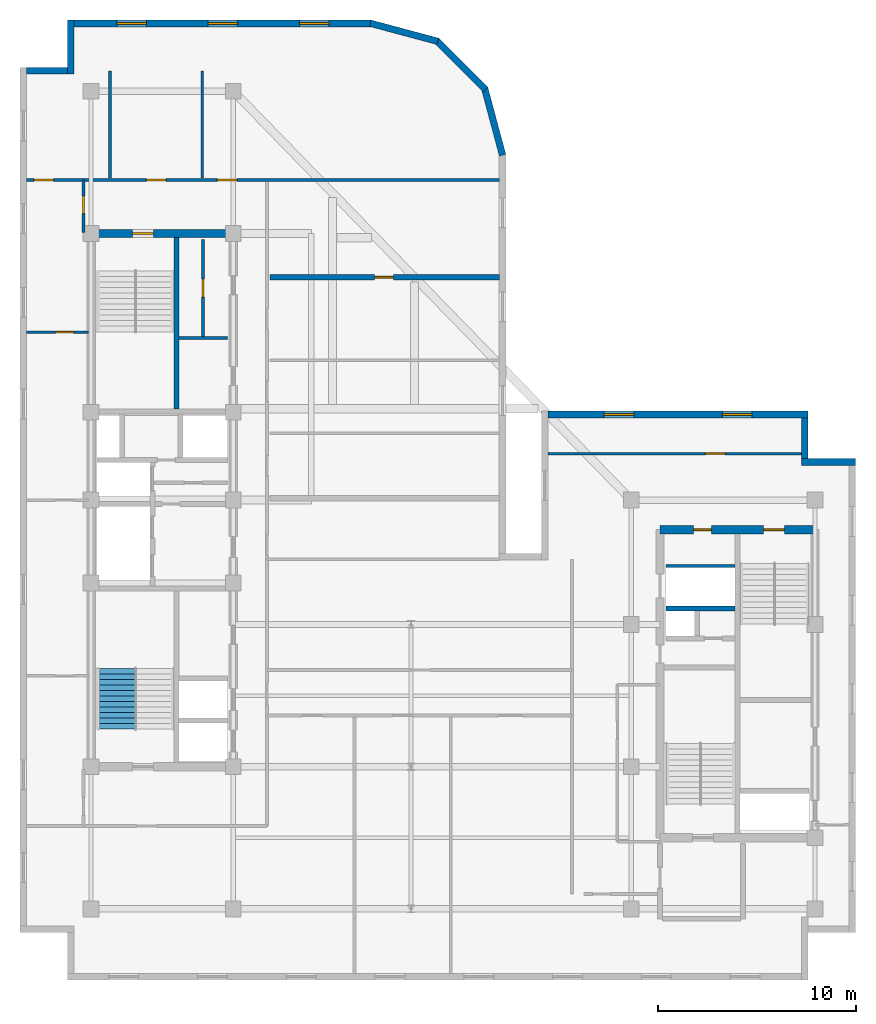
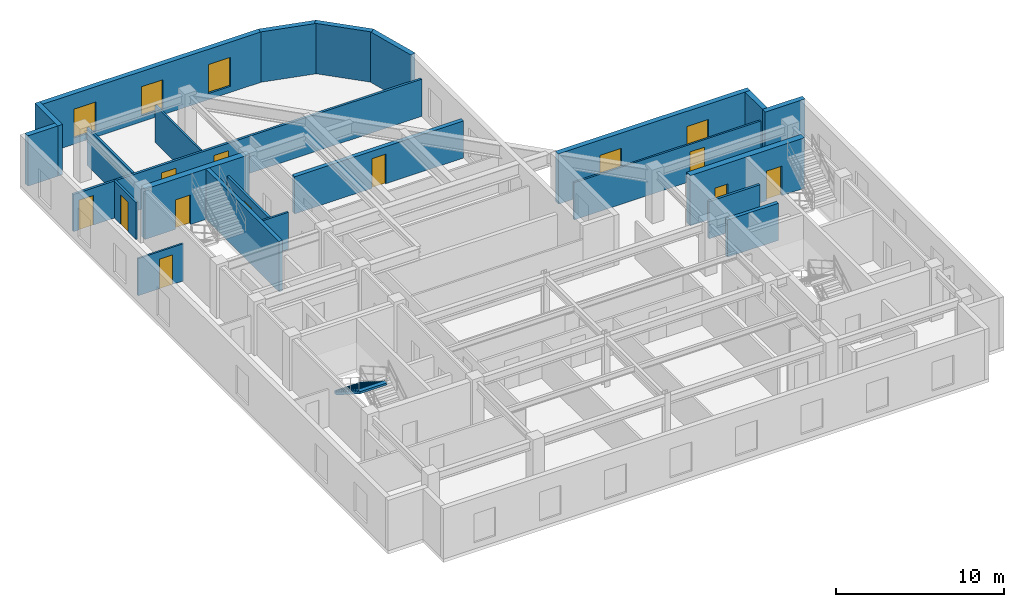
# One storey, part 6 of 10: 23 walls, 11 doors, 5 windows, 1 stair flight, 16 openings, 1 element without a shape of its own.
"""IFC4 building model written with IfcOpenShell, lengths in metres."""

from ifc_helpers import new_model, entity, si_unit, converted_unit, direction, frame, origin_with_axes, origin_2d_with_axis, place, context, subcontext, project, spatial, polyline, rectangle, outline, extrude, material, layer, layer_set, type_object, element, fill, aggregate, save


model = new_model("IFC4")

# Units and contexts
model_context = context("Model", 3, precision=1e-05, world=origin_with_axes(), true_north=direction((0.0, 1.0)))
body_context = subcontext(model_context, "Body", "Model", "MODEL_VIEW")
ifc_project = project(units=[si_unit("LENGTHUNIT", "METRE"), si_unit("AREAUNIT", "SQUARE_METRE"), si_unit("VOLUMEUNIT", "CUBIC_METRE"), converted_unit("PLANEANGLEUNIT", "DEGREE", entity("IfcPlaneAngleMeasure", 0.017453292519943295), si_unit("PLANEANGLEUNIT", "RADIAN"), dimensions=[0, 0, 0, 0, 0, 0, 0]), si_unit("MASSUNIT", "GRAM", prefix="KILO"), si_unit("THERMODYNAMICTEMPERATUREUNIT", "KELVIN")], contexts=[model_context])

# Site, building, storey
site_placement = place(None, origin_with_axes())
site = spatial("IfcSite", under=ifc_project, at=site_placement, CompositionType="ELEMENT")
building_placement = place(site_placement, origin_with_axes())
building = spatial("IfcBuilding", under=site, at=building_placement, Name="Varnlund Millrace Tower", CompositionType="ELEMENT")
storey_placement = place(building_placement, frame((0.0, 0.0, 280.2), z_axis=(0.0, 0.0, 1.0), x_axis=(1.0, 0.0, 0.0)))
storey = spatial("IfcBuildingStorey", under=building, at=storey_placement, Name="L69", CompositionType="ELEMENT", Elevation=280.2)

# Wall, opening, door
ifc_material_1 = material(Name="Concrete C60/75", Category="concrete")
ifc_layer_1 = layer(ifc_material_1, 0.42, Name="Concrete C60/75")
ifc_layer_set_1 = layer_set([ifc_layer_1], Name="Concrete C60/75")
wall_type_1 = type_object("IfcWallType", Name="Type-CoreWall-Shear-420-C60", PredefinedType="SHEAR", material=ifc_layer_set_1)
wall_1_placement = place(storey_placement, frame((11.4, 37.8, 0.0), z_axis=(0.0, 0.0, 1.0), x_axis=(1.0, 0.0, 0.0)))
wall_1 = element("IfcWall", 1, at=wall_1_placement, inside=storey, type_object=wall_type_1, Name="Type-CoreWall-Shear-420-C60", PredefinedType="SHEAR", context=body_context, shape_type="SweptSolid", body=[
    extrude(outline(polyline([(0.0, -0.21), (7.2, -0.21), (7.2, 0.21), (0.0, 0.21), (0.0, -0.21)])), origin_with_axes(), (0.0, 0.0, 1.0), 3.66),
])
opening_1_placement = place(wall_1_placement, frame((2.625, 0.0, 0.0), z_axis=(0.0, 0.0, 1.0), x_axis=(1.0, 0.0, 0.0)))
opening_1 = element("IfcOpeningElement", 2, at=opening_1_placement, cuts=wall_1, Name="Opening L69:DR-STA2", PredefinedType="OPENING", context=body_context, shape_type="SweptSolid", body=[
    extrude(rectangle(XDim=1.05, YDim=0.44, at=origin_2d_with_axis()), origin_with_axes(), (0.0, 0.0, 1.0), 2.15),
])
ifc_material_2 = material(Name="Fire-rated hollow steel door", Category="steel")
door_type_1 = type_object("IfcDoorType", Name="Type-FireDoor-Stair-1050X2150", OperationType="NOTDEFINED", PredefinedType="DOOR", material=ifc_material_2)
door_1_placement = place(wall_1_placement, frame((2.625, 0.0, 0.0), z_axis=(0.0, 0.0, 1.0), x_axis=(1.0, 0.0, 0.0)))
door_1 = element("IfcDoor", 3, at=door_1_placement, inside=storey, type_object=door_type_1, Name="Type-FireDoor-Stair-1050X2150", OperationType="SINGLE_SWING_RIGHT", OverallHeight=2.15, OverallWidth=1.05, PredefinedType="DOOR", context=body_context, shape_type="SweptSolid", body=[
    extrude(rectangle(XDim=1.05, YDim=0.09, at=origin_2d_with_axis()), origin_with_axes(), (0.0, 0.0, 1.0), 2.15),
])
fill(opening_1, door_1)

# Wall, openings, doors
wall_2_placement = place(storey_placement, frame((40.2, 22.8, 0.0), z_axis=(0.0, 0.0, 1.0), x_axis=(1.0, 0.0, 0.0)))
wall_2 = element("IfcWall", 4, at=wall_2_placement, inside=storey, type_object=wall_type_1, Name="Type-CoreWall-Shear-420-C60", PredefinedType="SHEAR", context=body_context, shape_type="SweptSolid", body=[
    extrude(outline(polyline([(0.0, -0.21), (7.85, -0.21), (7.85, 0.21), (0.0, 0.21), (0.0, -0.21)])), origin_with_axes(), (0.0, 0.0, 1.0), 3.66),
])
opening_2_placement = place(wall_2_placement, frame((5.775, 0.0, 0.0), z_axis=(0.0, 0.0, 1.0), x_axis=(1.0, 0.0, 0.0)))
opening_2 = element("IfcOpeningElement", 5, at=opening_2_placement, cuts=wall_2, Name="Opening L69:DR-STB2", PredefinedType="OPENING", context=body_context, shape_type="SweptSolid", body=[
    extrude(rectangle(XDim=1.05, YDim=0.44, at=origin_2d_with_axis()), origin_with_axes(), (0.0, 0.0, 1.0), 2.15),
])
opening_3_placement = place(wall_2_placement, frame((2.15, 0.0, 0.0), z_axis=(0.0, 0.0, 1.0), x_axis=(1.0, 0.0, 0.0)))
opening_3 = element("IfcOpeningElement", 6, at=opening_3_placement, cuts=wall_2, Name="Opening L69:DR-CB-NW", PredefinedType="OPENING", context=body_context, shape_type="SweptSolid", body=[
    extrude(rectangle(XDim=0.9, YDim=0.44, at=origin_2d_with_axis()), origin_with_axes(), (0.0, 0.0, 1.0), 2.15),
])
ifc_material_3 = material(Name="Fire-rated hollow steel service closet door", Category="steel")
door_type_2 = type_object("IfcDoorType", Name="Type-FireDoor-Closet-900X2150", OperationType="NOTDEFINED", PredefinedType="DOOR", material=ifc_material_3)
door_2_placement = place(wall_2_placement, frame((2.15, 0.0, 0.0), z_axis=(0.0, 0.0, 1.0), x_axis=(1.0, 0.0, 0.0)))
door_2 = element("IfcDoor", 7, at=door_2_placement, inside=storey, type_object=door_type_2, Name="Type-FireDoor-Closet-900X2150", OperationType="SINGLE_SWING_LEFT", OverallHeight=2.15, OverallWidth=0.9, PredefinedType="DOOR", context=body_context, shape_type="SweptSolid", body=[
    extrude(rectangle(XDim=0.9, YDim=0.09, at=origin_2d_with_axis()), origin_with_axes(), (0.0, 0.0, 1.0), 2.15),
])
fill(opening_3, door_2)
door_3_placement = place(wall_2_placement, frame((5.775, 0.0, 0.0), z_axis=(0.0, 0.0, 1.0), x_axis=(1.0, 0.0, 0.0)))
door_3 = element("IfcDoor", 8, at=door_3_placement, inside=storey, type_object=door_type_1, Name="Type-FireDoor-Stair-1050X2150", OperationType="SINGLE_SWING_RIGHT", OverallHeight=2.15, OverallWidth=1.05, PredefinedType="DOOR", context=body_context, shape_type="SweptSolid", body=[
    extrude(rectangle(XDim=1.05, YDim=0.09, at=origin_2d_with_axis()), origin_with_axes(), (0.0, 0.0, 1.0), 2.15),
])
fill(opening_2, door_3)

# Wall, openings, windows
ifc_material_4 = material(Name="Precast concrete C50/60", Category="concrete")
ifc_layer_2 = layer(ifc_material_4, 0.34, Name="Precast concrete C50/60")
ifc_layer_set_2 = layer_set([ifc_layer_2], Name="Precast concrete C50/60")
wall_type_2 = type_object("IfcWallType", Name="Type-ExtWall-Precast-Upper-340", PredefinedType="SOLIDWALL", material=ifc_layer_set_2)
wall_3_placement = place(storey_placement, frame((34.54, 28.63, 0.0), z_axis=(0.0, 0.0, 1.0), x_axis=(1.0, 0.0, 0.0)))
wall_3 = element("IfcWall", 9, at=wall_3_placement, inside=storey, type_object=wall_type_2, Name="Type-ExtWall-Precast-Upper-340", PredefinedType="SOLIDWALL", context=body_context, shape_type="SweptSolid", body=[
    extrude(outline(polyline([(0.0, -0.17), (13.16, -0.17), (13.16, 0.17), (0.0, 0.17), (0.0, -0.17)])), origin_with_axes(), (0.0, 0.0, 1.0), 3.66),
])
opening_4_placement = place(wall_3_placement, frame((3.59, 0.0, 0.45), z_axis=(0.0, 0.0, 1.0), x_axis=(1.0, 0.0, 0.0)))
opening_4 = element("IfcOpeningElement", 10, at=opening_4_placement, cuts=wall_3, Name="Opening L69:WN-02", PredefinedType="OPENING", context=body_context, shape_type="SweptSolid", body=[
    extrude(rectangle(XDim=1.5, YDim=0.36, at=origin_2d_with_axis()), origin_with_axes(), (0.0, 0.0, 1.0), 2.1),
])
opening_5_placement = place(wall_3_placement, frame((9.57, 0.0, 0.45), z_axis=(0.0, 0.0, 1.0), x_axis=(1.0, 0.0, 0.0)))
opening_5 = element("IfcOpeningElement", 11, at=opening_5_placement, cuts=wall_3, Name="Opening L69:WN-03", PredefinedType="OPENING", context=body_context, shape_type="SweptSolid", body=[
    extrude(rectangle(XDim=1.5, YDim=0.36, at=origin_2d_with_axis()), origin_with_axes(), (0.0, 0.0, 1.0), 2.1),
])
ifc_material_5 = material(Name="Argon low-e triple glazing in thermally broken bronze frame", Category="glass")
window_type = type_object("IfcWindowType", Name="Type-Window-Punched-1500X2100", PartitioningType="SINGLE_PANEL", PredefinedType="WINDOW", material=ifc_material_5)
window_1_placement = place(wall_3_placement, frame((3.59, 0.0, 0.45), z_axis=(0.0, 0.0, 1.0), x_axis=(1.0, 0.0, 0.0)))
window_1 = element("IfcWindow", 12, at=window_1_placement, inside=storey, type_object=window_type, Name="Type-Window-Punched-1500X2100", OverallHeight=2.1, OverallWidth=1.5, PredefinedType="WINDOW", context=body_context, shape_type="SweptSolid", body=[
    extrude(rectangle(XDim=1.5, YDim=0.09, at=origin_2d_with_axis()), origin_with_axes(), (0.0, 0.0, 1.0), 2.1),
])
fill(opening_4, window_1)
window_2_placement = place(wall_3_placement, frame((9.57, 0.0, 0.45), z_axis=(0.0, 0.0, 1.0), x_axis=(1.0, 0.0, 0.0)))
window_2 = element("IfcWindow", 13, at=window_2_placement, inside=storey, type_object=window_type, Name="Type-Window-Punched-1500X2100", OverallHeight=2.1, OverallWidth=1.5, PredefinedType="WINDOW", context=body_context, shape_type="SweptSolid", body=[
    extrude(rectangle(XDim=1.5, YDim=0.09, at=origin_2d_with_axis()), origin_with_axes(), (0.0, 0.0, 1.0), 2.1),
])
fill(opening_5, window_2)

# Walls
wall_4_placement = place(storey_placement, frame((47.53, 28.46, 0.0), z_axis=(0.0, 0.0, 1.0), x_axis=(0.0, -1.0, 0.0)))
element("IfcWall", 14, at=wall_4_placement, inside=storey, type_object=wall_type_2, Name="Type-ExtWall-Precast-Upper-340", PredefinedType="SOLIDWALL", context=body_context, shape_type="SweptSolid", body=[
    extrude(outline(polyline([(0.0, -0.17), (2.06, -0.17), (2.06, 0.17), (0.0, 0.17), (0.0, -0.17)])), origin_with_axes(), (0.0, 0.0, 1.0), 3.66),
])
wall_5_placement = place(storey_placement, frame((47.36, 26.23, 0.0), z_axis=(0.0, 0.0, 1.0), x_axis=(1.0, 0.0, 0.0)))
element("IfcWall", 15, at=wall_5_placement, inside=storey, type_object=wall_type_2, Name="Type-ExtWall-Precast-Upper-340", PredefinedType="SOLIDWALL", context=body_context, shape_type="SweptSolid", body=[
    extrude(outline(polyline([(0.0, -0.17), (2.74, -0.17), (2.74, 0.17), (0.0, 0.17), (0.0, -0.17)])), origin_with_axes(), (0.0, 0.0, 1.0), 3.66),
])
wall_6_placement = place(storey_placement, frame((8.14, 46.03, 0.0), z_axis=(0.0, 0.0, 1.0), x_axis=(1.0, 0.0, 0.0)))
element("IfcWall", 16, at=wall_6_placement, inside=storey, type_object=wall_type_2, Name="Type-ExtWall-Precast-Upper-340", PredefinedType="SOLIDWALL", context=body_context, shape_type="SweptSolid", body=[
    extrude(outline(polyline([(0.0, -0.17), (2.06, -0.17), (2.06, 0.17), (0.0, 0.17), (0.0, -0.17)])), origin_with_axes(), (0.0, 0.0, 1.0), 3.66),
])
wall_7_placement = place(storey_placement, frame((10.37, 45.86, 0.0), z_axis=(0.0, 0.0, 1.0), x_axis=(0.0, 1.0, 0.0)))
element("IfcWall", 17, at=wall_7_placement, inside=storey, type_object=wall_type_2, Name="Type-ExtWall-Precast-Upper-340", PredefinedType="SOLIDWALL", context=body_context, shape_type="SweptSolid", body=[
    extrude(outline(polyline([(0.0, -0.17), (2.74, -0.17), (2.74, 0.17), (0.0, 0.17), (0.0, -0.17)])), origin_with_axes(), (0.0, 0.0, 1.0), 3.66),
])

# Wall, openings, windows
wall_8_placement = place(storey_placement, frame((10.54, 48.43, 0.0), z_axis=(0.0, 0.0, 1.0), x_axis=(1.0, 0.0, 0.0)))
wall_8 = element("IfcWall", 18, at=wall_8_placement, inside=storey, type_object=wall_type_2, Name="Type-ExtWall-Precast-Upper-340", PredefinedType="SOLIDWALL", context=body_context, shape_type="SweptSolid", body=[
    extrude(outline(polyline([(0.0, -0.17), (15.06, -0.17), (15.06, 0.17), (0.0, 0.17), (0.0, -0.17)])), origin_with_axes(), (0.0, 0.0, 1.0), 3.66),
])
opening_6_placement = place(wall_8_placement, frame((2.91, 0.0, 0.45), z_axis=(0.0, 0.0, 1.0), x_axis=(1.0, 0.0, 0.0)))
opening_6 = element("IfcOpeningElement", 19, at=opening_6_placement, cuts=wall_8, Name="Opening L69:WN-24", PredefinedType="OPENING", context=body_context, shape_type="SweptSolid", body=[
    extrude(rectangle(XDim=1.5, YDim=0.36, at=origin_2d_with_axis()), origin_with_axes(), (0.0, 0.0, 1.0), 2.1),
])
opening_7_placement = place(wall_8_placement, frame((7.53, 0.0, 0.45), z_axis=(0.0, 0.0, 1.0), x_axis=(1.0, 0.0, 0.0)))
opening_7 = element("IfcOpeningElement", 20, at=opening_7_placement, cuts=wall_8, Name="Opening L69:WN-25", PredefinedType="OPENING", context=body_context, shape_type="SweptSolid", body=[
    extrude(rectangle(XDim=1.5, YDim=0.36, at=origin_2d_with_axis()), origin_with_axes(), (0.0, 0.0, 1.0), 2.1),
])
opening_8_placement = place(wall_8_placement, frame((12.15, 0.0, 0.45), z_axis=(0.0, 0.0, 1.0), x_axis=(1.0, 0.0, 0.0)))
opening_8 = element("IfcOpeningElement", 21, at=opening_8_placement, cuts=wall_8, Name="Opening L69:WN-26", PredefinedType="OPENING", context=body_context, shape_type="SweptSolid", body=[
    extrude(rectangle(XDim=1.5, YDim=0.36, at=origin_2d_with_axis()), origin_with_axes(), (0.0, 0.0, 1.0), 2.1),
])
window_3_placement = place(wall_8_placement, frame((2.91, 0.0, 0.45), z_axis=(0.0, 0.0, 1.0), x_axis=(1.0, 0.0, 0.0)))
window_3 = element("IfcWindow", 22, at=window_3_placement, inside=storey, type_object=window_type, Name="Type-Window-Punched-1500X2100", OverallHeight=2.1, OverallWidth=1.5, PredefinedType="WINDOW", context=body_context, shape_type="SweptSolid", body=[
    extrude(rectangle(XDim=1.5, YDim=0.09, at=origin_2d_with_axis()), origin_with_axes(), (0.0, 0.0, 1.0), 2.1),
])
fill(opening_6, window_3)
window_4_placement = place(wall_8_placement, frame((7.53, 0.0, 0.45), z_axis=(0.0, 0.0, 1.0), x_axis=(1.0, 0.0, 0.0)))
window_4 = element("IfcWindow", 23, at=window_4_placement, inside=storey, type_object=window_type, Name="Type-Window-Punched-1500X2100", OverallHeight=2.1, OverallWidth=1.5, PredefinedType="WINDOW", context=body_context, shape_type="SweptSolid", body=[
    extrude(rectangle(XDim=1.5, YDim=0.09, at=origin_2d_with_axis()), origin_with_axes(), (0.0, 0.0, 1.0), 2.1),
])
fill(opening_7, window_4)
window_5_placement = place(wall_8_placement, frame((12.15, 0.0, 0.45), z_axis=(0.0, 0.0, 1.0), x_axis=(1.0, 0.0, 0.0)))
window_5 = element("IfcWindow", 24, at=window_5_placement, inside=storey, type_object=window_type, Name="Type-Window-Punched-1500X2100", OverallHeight=2.1, OverallWidth=1.5, PredefinedType="WINDOW", context=body_context, shape_type="SweptSolid", body=[
    extrude(rectangle(XDim=1.5, YDim=0.09, at=origin_2d_with_axis()), origin_with_axes(), (0.0, 0.0, 1.0), 2.1),
])
fill(opening_8, window_5)

# Walls
wall_9_placement = place(storey_placement, frame((25.537, 48.441, 0.0), z_axis=(0.0, 0.0, 1.0), x_axis=(0.965934, -0.258788, 0.0)))
element("IfcWall", 25, at=wall_9_placement, inside=storey, type_object=wall_type_2, Name="Type-ExtWall-Precast-Upper-340", PredefinedType="SOLIDWALL", context=body_context, shape_type="SweptSolid", body=[
    extrude(outline(polyline([(0.0, -0.17), (3.539579, -0.17), (3.539579, 0.17), (0.0, 0.17), (0.0, -0.17)])), origin_with_axes(), (0.0, 0.0, 1.0), 3.66),
])
wall_10_placement = place(storey_placement, frame((28.866, 47.583, 0.0), z_axis=(0.0, 0.0, 1.0), x_axis=(0.707107, -0.707107, 0.0)))
element("IfcWall", 26, at=wall_10_placement, inside=storey, type_object=wall_type_2, Name="Type-ExtWall-Precast-Upper-340", PredefinedType="SOLIDWALL", context=body_context, shape_type="SweptSolid", body=[
    extrude(outline(polyline([(0.0, -0.17), (3.539777, -0.17), (3.539777, 0.17), (0.0, 0.17), (0.0, -0.17)])), origin_with_axes(), (0.0, 0.0, 1.0), 3.66),
])
wall_11_placement = place(storey_placement, frame((31.32, 45.175, 0.0), z_axis=(0.0, 0.0, 1.0), x_axis=(0.258788, -0.965934, 0.0)))
element("IfcWall", 27, at=wall_11_placement, inside=storey, type_object=wall_type_2, Name="Type-ExtWall-Precast-Upper-340", PredefinedType="SOLIDWALL", context=body_context, shape_type="SweptSolid", body=[
    extrude(outline(polyline([(0.0, -0.17), (3.539579, -0.17), (3.539579, 0.17), (0.0, 0.17), (0.0, -0.17)])), origin_with_axes(), (0.0, 0.0, 1.0), 3.66),
])

# Wall, opening, door
ifc_material_6 = material(Name="Double-stud STC-60 conference acoustic partition", Category="gypsum")
ifc_layer_3 = layer(ifc_material_6, 0.28, Name="Double-stud STC-60 conference acoustic partition")
ifc_layer_set_3 = layer_set([ifc_layer_3], Name="Double-stud STC-60 conference acoustic partition")
wall_type_3 = type_object("IfcWallType", Name="Type-Partition-Acoustic-280", PredefinedType="PARTITIONING", material=ifc_layer_set_3)
wall_12_placement = place(storey_placement, frame((20.45, 35.576, 0.0), z_axis=(0.0, 0.0, 1.0), x_axis=(1.0, 0.0, 0.0)))
wall_12 = element("IfcWall", 28, at=wall_12_placement, inside=storey, type_object=wall_type_3, Name="Type-Partition-Acoustic-280", PredefinedType="PARTITIONING", context=body_context, shape_type="SweptSolid", body=[
    extrude(outline(polyline([(0.0, -0.14), (11.615, -0.14), (11.615, 0.14), (0.0, 0.14), (0.0, -0.14)])), origin_with_axes(), (0.0, 0.0, 1.0), 2.7),
])
opening_9_placement = place(wall_12_placement, frame((5.785, 0.0, 0.0), z_axis=(0.0, 0.0, 1.0), x_axis=(1.0, 0.0, 0.0)))
opening_9 = element("IfcOpeningElement", 29, at=opening_9_placement, cuts=wall_12, Name="Opening L69:DR-FLR-05", PredefinedType="OPENING", context=body_context, shape_type="SweptSolid", body=[
    extrude(rectangle(XDim=0.95, YDim=0.3, at=origin_2d_with_axis()), origin_with_axes(), (0.0, 0.0, 1.0), 2.15),
])
ifc_material_7 = material(Name="Solid-core acoustic office door")
door_type_3 = type_object("IfcDoorType", Name="Type-IntDoor-Tenant-950X2150", OperationType="NOTDEFINED", PredefinedType="DOOR", material=ifc_material_7)
door_4_placement = place(wall_12_placement, frame((5.785, 0.0, 0.0), z_axis=(0.0, 0.0, 1.0), x_axis=(1.0, 0.0, 0.0)))
door_4 = element("IfcDoor", 30, at=door_4_placement, inside=storey, type_object=door_type_3, Name="Type-IntDoor-Tenant-950X2150", OperationType="SINGLE_SWING_LEFT", OverallHeight=2.15, OverallWidth=0.95, PredefinedType="DOOR", context=body_context, shape_type="SweptSolid", body=[
    extrude(rectangle(XDim=0.95, YDim=0.09, at=origin_2d_with_axis()), origin_with_axes(), (0.0, 0.0, 1.0), 2.15),
])
fill(opening_9, door_4)

ifc_material_8 = material(Name="Fire-rated gypsum board on cold-formed steel framing", Category="steel")
ifc_layer_4 = layer(ifc_material_8, 0.16, Name="Fire-rated gypsum board on cold-formed steel framing")
ifc_layer_set_4 = layer_set([ifc_layer_4], Name="Fire-rated gypsum board on cold-formed steel framing")
wall_type_4 = type_object("IfcWallType", Name="Type-Partition-Corridor-160", PredefinedType="PARTITIONING", material=ifc_layer_set_4)
wall_13_placement = place(storey_placement, frame((17.07, 32.58, 0.0), z_axis=(0.0, 0.0, 1.0), x_axis=(0.0, 1.0, 0.0)))
wall_13 = element("IfcWall", 31, at=wall_13_placement, inside=storey, type_object=wall_type_4, Name="Type-Partition-Corridor-160", PredefinedType="PARTITIONING", context=body_context, shape_type="SweptSolid", body=[
    extrude(outline(polyline([(0.0, -0.08), (4.92, -0.08), (4.92, 0.08), (0.0, 0.08), (0.0, -0.08)])), origin_with_axes(), (0.0, 0.0, 1.0), 2.7),
])
opening_10_placement = place(wall_13_placement, frame((2.45, 0.0, 0.0), z_axis=(0.0, 0.0, 1.0), x_axis=(1.0, 0.0, 0.0)))
opening_10 = element("IfcOpeningElement", 32, at=opening_10_placement, cuts=wall_13, Name="Opening L69:DR-RECL-M2", PredefinedType="OPENING", context=body_context, shape_type="SweptSolid", body=[
    extrude(rectangle(XDim=0.9, YDim=0.18, at=origin_2d_with_axis()), origin_with_axes(), (0.0, 0.0, 1.0), 2.15),
])
ifc_material_9 = material(Name="Painted steel riser and closet door", Category="steel")
door_type_4 = type_object("IfcDoorType", Name="Type-IntDoor-Closet-900X2150", OperationType="NOTDEFINED", PredefinedType="DOOR", material=ifc_material_9)
door_5_placement = place(wall_13_placement, frame((2.45, 0.0, 0.0), z_axis=(0.0, 0.0, 1.0), x_axis=(1.0, 0.0, 0.0)))
door_5 = element("IfcDoor", 33, at=door_5_placement, inside=storey, type_object=door_type_4, Name="Type-IntDoor-Closet-900X2150", OperationType="SINGLE_SWING_LEFT", OverallHeight=2.15, OverallWidth=0.9, PredefinedType="DOOR", context=body_context, shape_type="SweptSolid", body=[
    extrude(rectangle(XDim=0.9, YDim=0.09, at=origin_2d_with_axis()), origin_with_axes(), (0.0, 0.0, 1.0), 2.15),
])
fill(opening_10, door_5)

# Wall
wall_14_placement = place(storey_placement, frame((40.5, 20.96, 0.0), z_axis=(0.0, 0.0, 1.0), x_axis=(1.0, 0.0, 0.0)))
element("IfcWall", 34, at=wall_14_placement, inside=storey, type_object=wall_type_4, Name="Type-Partition-Corridor-160", PredefinedType="PARTITIONING", context=body_context, shape_type="SweptSolid", body=[
    extrude(outline(polyline([(0.0, -0.08), (3.5, -0.08), (3.5, 0.08), (0.0, 0.08), (0.0, -0.08)])), origin_with_axes(), (0.0, 0.0, 1.0), 2.7),
])

# Wall, openings, doors
wall_15_placement = place(storey_placement, frame((8.135, 40.5, 0.0), z_axis=(0.0, 0.0, 1.0), x_axis=(1.0, 0.0, 0.0)))
wall_15 = element("IfcWall", 35, at=wall_15_placement, inside=storey, type_object=wall_type_4, Name="Type-Partition-Corridor-160", PredefinedType="PARTITIONING", context=body_context, shape_type="SweptSolid", body=[
    extrude(outline(polyline([(0.0, -0.08), (23.93, -0.08), (23.93, 0.08), (0.0, 0.08), (0.0, -0.08)])), origin_with_axes(), (0.0, 0.0, 1.0), 2.7),
])
opening_11_placement = place(wall_15_placement, frame((0.871, 0.0, 0.0), z_axis=(0.0, 0.0, 1.0), x_axis=(1.0, 0.0, 0.0)))
opening_11 = element("IfcOpeningElement", 36, at=opening_11_placement, cuts=wall_15, Name="Opening L69:DR-WAN-01", PredefinedType="OPENING", context=body_context, shape_type="SweptSolid", body=[
    extrude(rectangle(XDim=1.0, YDim=0.18, at=origin_2d_with_axis()), origin_with_axes(), (0.0, 0.0, 1.0), 2.15),
])
opening_12_placement = place(wall_15_placement, frame((6.56, 0.0, 0.0), z_axis=(0.0, 0.0, 1.0), x_axis=(1.0, 0.0, 0.0)))
opening_12 = element("IfcOpeningElement", 37, at=opening_12_placement, cuts=wall_15, Name="Opening L69:DR-WAN-02", PredefinedType="OPENING", context=body_context, shape_type="SweptSolid", body=[
    extrude(rectangle(XDim=1.0, YDim=0.18, at=origin_2d_with_axis()), origin_with_axes(), (0.0, 0.0, 1.0), 2.15),
])
opening_13_placement = place(wall_15_placement, frame((10.16, 0.0, 0.0), z_axis=(0.0, 0.0, 1.0), x_axis=(1.0, 0.0, 0.0)))
opening_13 = element("IfcOpeningElement", 38, at=opening_13_placement, cuts=wall_15, Name="Opening L69:DR-WAN-03", PredefinedType="OPENING", context=body_context, shape_type="SweptSolid", body=[
    extrude(rectangle(XDim=1.0, YDim=0.18, at=origin_2d_with_axis()), origin_with_axes(), (0.0, 0.0, 1.0), 2.15),
])
ifc_material_10 = material(Name="Solid-core white oak and bronze frame door")
door_type_5 = type_object("IfcDoorType", Name="Type-IntDoor-Office-1000X2150", OperationType="NOTDEFINED", PredefinedType="DOOR", material=ifc_material_10)
door_6_placement = place(wall_15_placement, frame((0.871, 0.0, 0.0), z_axis=(0.0, 0.0, 1.0), x_axis=(1.0, 0.0, 0.0)))
door_6 = element("IfcDoor", 39, at=door_6_placement, inside=storey, type_object=door_type_5, Name="Type-IntDoor-Office-1000X2150", OperationType="SINGLE_SWING_LEFT", OverallHeight=2.15, OverallWidth=1.0, PredefinedType="DOOR", context=body_context, shape_type="SweptSolid", body=[
    extrude(rectangle(XDim=1.0, YDim=0.09, at=origin_2d_with_axis()), origin_with_axes(), (0.0, 0.0, 1.0), 2.15),
])
fill(opening_11, door_6)
door_7_placement = place(wall_15_placement, frame((6.56, 0.0, 0.0), z_axis=(0.0, 0.0, 1.0), x_axis=(1.0, 0.0, 0.0)))
door_7 = element("IfcDoor", 40, at=door_7_placement, inside=storey, type_object=door_type_5, Name="Type-IntDoor-Office-1000X2150", OperationType="SINGLE_SWING_RIGHT", OverallHeight=2.15, OverallWidth=1.0, PredefinedType="DOOR", context=body_context, shape_type="SweptSolid", body=[
    extrude(rectangle(XDim=1.0, YDim=0.09, at=origin_2d_with_axis()), origin_with_axes(), (0.0, 0.0, 1.0), 2.15),
])
fill(opening_12, door_7)
door_8_placement = place(wall_15_placement, frame((10.16, 0.0, 0.0), z_axis=(0.0, 0.0, 1.0), x_axis=(1.0, 0.0, 0.0)))
door_8 = element("IfcDoor", 41, at=door_8_placement, inside=storey, type_object=door_type_5, Name="Type-IntDoor-Office-1000X2150", OperationType="SINGLE_SWING_LEFT", OverallHeight=2.15, OverallWidth=1.0, PredefinedType="DOOR", context=body_context, shape_type="SweptSolid", body=[
    extrude(rectangle(XDim=1.0, YDim=0.09, at=origin_2d_with_axis()), origin_with_axes(), (0.0, 0.0, 1.0), 2.15),
])
fill(opening_13, door_8)

# Wall, opening, door
wall_16_placement = place(storey_placement, frame((11.02, 37.85, 0.0), z_axis=(0.0, 0.0, 1.0), x_axis=(0.0, 1.0, 0.0)))
wall_16 = element("IfcWall", 42, at=wall_16_placement, inside=storey, type_object=wall_type_4, Name="Type-Partition-Corridor-160", PredefinedType="PARTITIONING", context=body_context, shape_type="SweptSolid", body=[
    extrude(outline(polyline([(0.0, -0.08), (2.65, -0.08), (2.65, 0.08), (0.0, 0.08), (0.0, -0.08)])), origin_with_axes(), (0.0, 0.0, 1.0), 2.7),
])
opening_14_placement = place(wall_16_placement, frame((1.4, 0.0, 0.0), z_axis=(0.0, 0.0, 1.0), x_axis=(1.0, 0.0, 0.0)))
opening_14 = element("IfcOpeningElement", 43, at=opening_14_placement, cuts=wall_16, Name="Opening L69:DR-WU-N1", PredefinedType="OPENING", context=body_context, shape_type="SweptSolid", body=[
    extrude(rectangle(XDim=0.9, YDim=0.18, at=origin_2d_with_axis()), origin_with_axes(), (0.0, 0.0, 1.0), 2.15),
])
door_9_placement = place(wall_16_placement, frame((1.4, 0.0, 0.0), z_axis=(0.0, 0.0, 1.0), x_axis=(1.0, 0.0, 0.0)))
door_9 = element("IfcDoor", 44, at=door_9_placement, inside=storey, type_object=door_type_4, Name="Type-IntDoor-Closet-900X2150", OperationType="SINGLE_SWING_RIGHT", OverallHeight=2.15, OverallWidth=0.9, PredefinedType="DOOR", context=body_context, shape_type="SweptSolid", body=[
    extrude(rectangle(XDim=0.9, YDim=0.09, at=origin_2d_with_axis()), origin_with_axes(), (0.0, 0.0, 1.0), 2.15),
])
fill(opening_14, door_9)

# Wall
ifc_material_11 = material(Name="Acoustic STC-50 gypsum board partition", Category="gypsum")
ifc_layer_5 = layer(ifc_material_11, 0.15, Name="Acoustic STC-50 gypsum board partition")
ifc_layer_set_5 = layer_set([ifc_layer_5], Name="Acoustic STC-50 gypsum board partition")
wall_type_5 = type_object("IfcWallType", Name="Type-Partition-Demising-150", PredefinedType="PARTITIONING", material=ifc_layer_set_5)
wall_17_placement = place(storey_placement, frame((12.361, 40.6, 0.0), z_axis=(0.0, 0.0, 1.0), x_axis=(0.0, 1.0, 0.0)))
element("IfcWall", 45, at=wall_17_placement, inside=storey, type_object=wall_type_5, Name="Type-Partition-Demising-150", PredefinedType="PARTITIONING", context=body_context, shape_type="SweptSolid", body=[
    extrude(outline(polyline([(0.0, -0.075), (5.42, -0.075), (5.42, 0.075), (0.0, 0.075), (0.0, -0.075)])), origin_with_axes(), (0.0, 0.0, 1.0), 2.7),
])

# Wall, opening, door
ifc_material_12 = material(Name="Gypsum board tenant partition", Category="gypsum")
ifc_layer_6 = layer(ifc_material_12, 0.125, Name="Gypsum board tenant partition")
ifc_layer_set_6 = layer_set([ifc_layer_6], Name="Gypsum board tenant partition")
wall_type_6 = type_object("IfcWallType", Name="Type-Partition-Tenant-125", PredefinedType="PARTITIONING", material=ifc_layer_set_6)
wall_18_placement = place(storey_placement, frame((8.135, 32.8, 0.0), z_axis=(0.0, 0.0, 1.0), x_axis=(1.0, 0.0, 0.0)))
wall_18 = element("IfcWall", 46, at=wall_18_placement, inside=storey, type_object=wall_type_6, Name="Type-Partition-Tenant-125", PredefinedType="PARTITIONING", context=body_context, shape_type="SweptSolid", body=[
    extrude(outline(polyline([(0.0, -0.0625), (3.135, -0.0625), (3.135, 0.0625), (0.0, 0.0625), (0.0, -0.0625)])), origin_with_axes(), (0.0, 0.0, 1.0), 2.7),
])
opening_15_placement = place(wall_18_placement, frame((1.925, 0.0, 0.0), z_axis=(0.0, 0.0, 1.0), x_axis=(1.0, 0.0, 0.0)))
opening_15 = element("IfcOpeningElement", 47, at=opening_15_placement, cuts=wall_18, Name="Opening L69:DR-WUI-3", PredefinedType="OPENING", context=body_context, shape_type="SweptSolid", body=[
    extrude(rectangle(XDim=0.9, YDim=0.145, at=origin_2d_with_axis()), origin_with_axes(), (0.0, 0.0, 1.0), 2.15),
])
door_10_placement = place(wall_18_placement, frame((1.925, 0.0, 0.0), z_axis=(0.0, 0.0, 1.0), x_axis=(1.0, 0.0, 0.0)))
door_10 = element("IfcDoor", 48, at=door_10_placement, inside=storey, type_object=door_type_4, Name="Type-IntDoor-Closet-900X2150", OperationType="SINGLE_SWING_LEFT", OverallHeight=2.15, OverallWidth=0.9, PredefinedType="DOOR", context=body_context, shape_type="SweptSolid", body=[
    extrude(rectangle(XDim=0.9, YDim=0.075, at=origin_2d_with_axis()), origin_with_axes(), (0.0, 0.0, 1.0), 2.15),
])
fill(opening_15, door_10)

# Wall
wall_19_placement = place(storey_placement, frame((17.029, 40.6, 0.0), z_axis=(0.0, 0.0, 1.0), x_axis=(0.0, 1.0, 0.0)))
element("IfcWall", 49, at=wall_19_placement, inside=storey, type_object=wall_type_6, Name="Type-Partition-Tenant-125", PredefinedType="PARTITIONING", context=body_context, shape_type="SweptSolid", body=[
    extrude(outline(polyline([(0.0, -0.0625), (5.42, -0.0625), (5.42, 0.0625), (0.0, 0.0625), (0.0, -0.0625)])), origin_with_axes(), (0.0, 0.0, 1.0), 2.7),
])

# Wall, opening, door
wall_20_placement = place(storey_placement, frame((34.535, 26.65, 0.0), z_axis=(0.0, 0.0, 1.0), x_axis=(1.0, 0.0, 0.0)))
wall_20 = element("IfcWall", 50, at=wall_20_placement, inside=storey, type_object=wall_type_6, Name="Type-Partition-Tenant-125", PredefinedType="PARTITIONING", context=body_context, shape_type="SweptSolid", body=[
    extrude(outline(polyline([(0.0, -0.0625), (12.995, -0.0625), (12.995, 0.0625), (0.0, 0.0625), (0.0, -0.0625)])), origin_with_axes(), (0.0, 0.0, 1.0), 2.7),
])
opening_16_placement = place(wall_20_placement, frame((8.465, 0.0, 0.0), z_axis=(0.0, 0.0, 1.0), x_axis=(1.0, 0.0, 0.0)))
opening_16 = element("IfcOpeningElement", 51, at=opening_16_placement, cuts=wall_20, Name="Opening L69:DR-WBN-01", PredefinedType="OPENING", context=body_context, shape_type="SweptSolid", body=[
    extrude(rectangle(XDim=1.0, YDim=0.145, at=origin_2d_with_axis()), origin_with_axes(), (0.0, 0.0, 1.0), 2.15),
])
door_11_placement = place(wall_20_placement, frame((8.465, 0.0, 0.0), z_axis=(0.0, 0.0, 1.0), x_axis=(1.0, 0.0, 0.0)))
door_11 = element("IfcDoor", 52, at=door_11_placement, inside=storey, type_object=door_type_5, Name="Type-IntDoor-Office-1000X2150", OperationType="SINGLE_SWING_RIGHT", OverallHeight=2.15, OverallWidth=1.0, PredefinedType="DOOR", context=body_context, shape_type="SweptSolid", body=[
    extrude(rectangle(XDim=1.0, YDim=0.075, at=origin_2d_with_axis()), origin_with_axes(), (0.0, 0.0, 1.0), 2.15),
])
fill(opening_16, door_11)

# Walls
ifc_material_13 = material(Name="Moisture-resistant gypsum restroom partition", Category="gypsum")
ifc_layer_7 = layer(ifc_material_13, 0.14, Name="Moisture-resistant gypsum restroom partition")
ifc_layer_set_7 = layer_set([ifc_layer_7], Name="Moisture-resistant gypsum restroom partition")
wall_type_7 = type_object("IfcWallType", Name="Type-Partition-Wet-140", PredefinedType="PARTITIONING", material=ifc_layer_set_7)
wall_21_placement = place(storey_placement, frame((15.84, 32.5, 0.0), z_axis=(0.0, 0.0, 1.0), x_axis=(1.0, 0.0, 0.0)))
element("IfcWall", 53, at=wall_21_placement, inside=storey, type_object=wall_type_7, Name="Type-Partition-Wet-140", PredefinedType="PARTITIONING", context=body_context, shape_type="SweptSolid", body=[
    extrude(outline(polyline([(0.0, -0.07), (2.46, -0.07), (2.46, 0.07), (0.0, 0.07), (0.0, -0.07)])), origin_with_axes(), (0.0, 0.0, 1.0), 2.7),
])
ifc_layer_8 = layer(ifc_material_1, 0.25, Name="Concrete C60/75")
ifc_layer_set_8 = layer_set([ifc_layer_8], Name="Concrete C60/75")
wall_type_8 = type_object("IfcWallType", Name="Type-ShaftWall-Fire-250", PredefinedType="SOLIDWALL", material=ifc_layer_set_8)
wall_22_placement = place(storey_placement, frame((40.5, 18.8, 0.0), z_axis=(0.0, 0.0, 1.0), x_axis=(1.0, 0.0, 0.0)))
element("IfcWall", 54, at=wall_22_placement, inside=storey, type_object=wall_type_8, Name="Type-ShaftWall-Fire-250", PredefinedType="SOLIDWALL", context=body_context, shape_type="SweptSolid", body=[
    extrude(outline(polyline([(0.0, -0.125), (3.5, -0.125), (3.5, 0.125), (0.0, 0.125), (0.0, -0.125)])), origin_with_axes(), (0.0, 0.0, 1.0), 2.7),
])
wall_type_9 = type_object("IfcWallType", Name="Type-StairWall-Shear-250", PredefinedType="SHEAR", material=ifc_layer_set_8)
wall_23_placement = place(storey_placement, frame((15.725, 28.9, 0.0), z_axis=(0.0, 0.0, 1.0), x_axis=(0.0, 1.0, 0.0)))
element("IfcWall", 55, at=wall_23_placement, inside=storey, type_object=wall_type_9, Name="Type-StairWall-Shear-250", PredefinedType="SHEAR", context=body_context, shape_type="SweptSolid", body=[
    extrude(outline(polyline([(0.0, -0.125), (8.69, -0.125), (8.69, 0.125), (0.0, 0.125), (0.0, -0.125)])), origin_with_axes(), (0.0, 0.0, 1.0), 3.66),
])

# Stair, stair flight
ifc_material_14 = material(Name="Concrete C50/60", Category="concrete")
stair_type = type_object("IfcStairType", Name="Type-Stair-Dogleg-185-390", PredefinedType="HALF_TURN_STAIR", material=ifc_material_14)
stair_placement = place(storey_placement, origin_with_axes())
stair = element("IfcStair", 56, at=stair_placement, inside=storey, type_object=stair_type, Name="Type-Stair-Dogleg-185-390", PredefinedType="HALF_TURN_STAIR")
stair_flight_type = type_object("IfcStairFlightType", Name="Type-Dogleg-Run-185-390", PredefinedType="STRAIGHT", material=ifc_material_4)
stair_flight_placement = place(storey_placement, frame((13.675, 15.78, 1.95), z_axis=(-1.0, 0.0, 0.0), x_axis=(0.0, -1.0, 0.0)))
stair_flight = element("IfcStairFlight", 57, at=stair_flight_placement, type_object=stair_flight_type, Name="ST-A1 flight 2", NumberOfRisers=11, NumberOfTreads=11, PredefinedType="STRAIGHT", RiserHeight=0.177273, TreadLength=0.28, context=body_context, shape_type="SweptSolid", body=[
    extrude(outline(polyline([(0.0, 0.0), (0.0, 0.177273), (0.28, 0.177273), (0.28, 0.354545), (0.56, 0.354545), (0.56, 0.531818), (0.84, 0.531818), (0.84, 0.709091), (1.12, 0.709091), (1.12, 0.886364), (1.4, 0.886364), (1.4, 1.063636), (1.68, 1.063636), (1.68, 1.240909), (1.96, 1.240909), (1.96, 1.418182), (2.24, 1.418182), (2.24, 1.595454), (2.52, 1.595454), (2.52, 1.772727), (2.8, 1.772727), (2.8, 1.95), (3.08, 1.95), (3.08, 1.8), (0.28, 0.0), (0.0, 0.0)])), origin_with_axes(), (0.0, 0.0, 1.0), 1.85),
])
aggregate(stair, [stair_flight])

save(model, "model.ifc")
